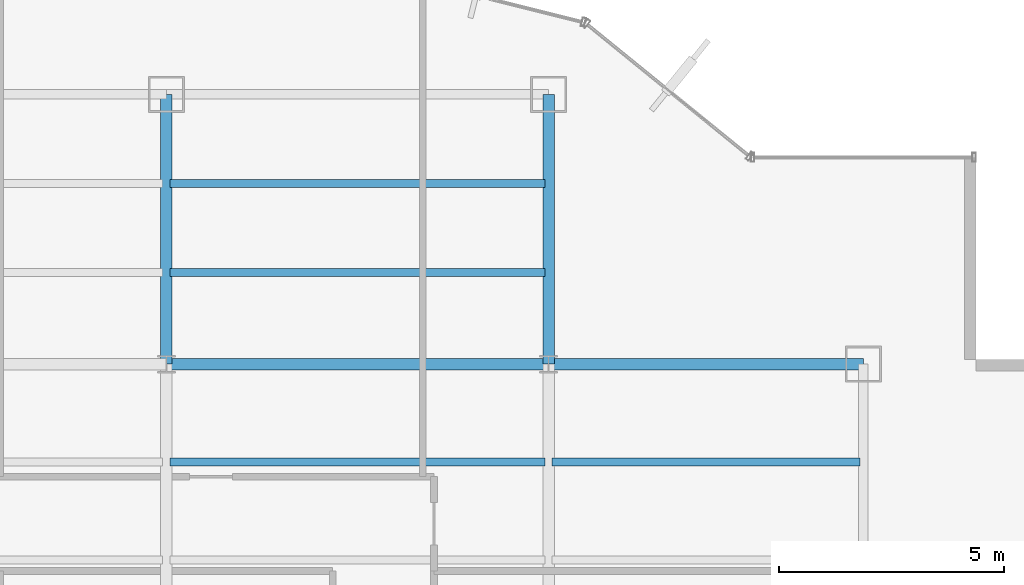
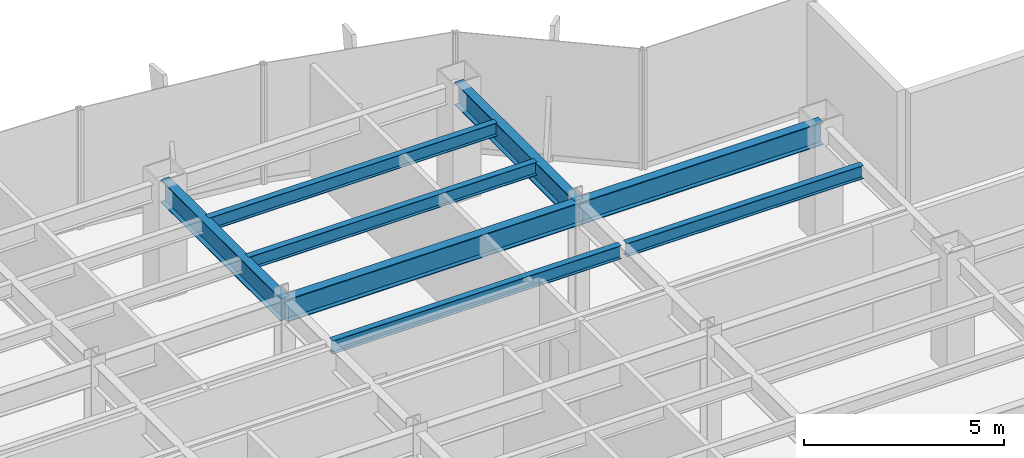
# One storey, part 17 of 26: 8 beams.
"""IFC4 building model written with IfcOpenShell, lengths in metres."""

from ifc_helpers import new_model, si_unit, derived_unit, direction, frame, origin, origin_2d, place, context, subcontext, project, spatial, i_section, extrude, source, transform, mapped, material, material_profile, profile_set, type_object, element, save


model = new_model("IFC4")

# Units and contexts
model_context = context("Model", 3, precision=1e-05, world=origin(), true_north=direction((0.0, 1.0)))
body_context = subcontext(model_context, "Body", "Model", "MODEL_VIEW")
ifc_project = project(units=[si_unit("LENGTHUNIT", "METRE"), si_unit("AREAUNIT", "SQUARE_METRE"), si_unit("VOLUMEUNIT", "CUBIC_METRE"), si_unit("PLANEANGLEUNIT", "RADIAN"), si_unit("MASSUNIT", "GRAM", prefix="KILO"), derived_unit("THERMALTRANSMITTANCEUNIT", [(si_unit("POWERUNIT", "WATT"), 1), (si_unit("LENGTHUNIT", "METRE"), -2), (si_unit("THERMODYNAMICTEMPERATUREUNIT", "KELVIN"), -1)])], contexts=[model_context])

# Site, building, storey
site_placement = place(None, origin())
site = spatial("IfcSite", under=ifc_project, at=site_placement, CompositionType="ELEMENT")
building_placement = place(site_placement, origin())
building = spatial("IfcBuilding", under=site, at=building_placement, Name="Skarnbrae Concourse Arena and Tower", CompositionType="ELEMENT")
storey_placement = place(building_placement, frame((0.0, 0.0, 121.5)))
storey = spatial("IfcBuildingStorey", under=building, at=storey_placement, Name="L30", CompositionType="ELEMENT", Elevation=121.5)

# Beams
ifc_material = material(Name="Steel CSA G40.21 350W", Category="steel")
ifc_material_profile_1 = material_profile(ifc_material, i_section(OverallWidth=0.256103515625, OverallDepth=0.693115234375, WebThickness=0.014404296875, FlangeThickness=0.023681640625, at=origin_2d()), Name="W690X170")
ifc_profile_set_1 = profile_set([ifc_material_profile_1], Name="Steel CSA G40.21 350W")
beam_type_1 = type_object("IfcBeamType", Name="BM-GIRD-W690X170", PredefinedType="BEAM", material=ifc_profile_set_1)
shared_shape_1 = source(origin(), body_context, "Body", "SweptSolid", [
    extrude(i_section(OverallWidth=0.256103515625, OverallDepth=0.693115234375, WebThickness=0.014404296875, FlangeThickness=0.023681640625, at=origin_2d()), origin(), (0.0, 0.0, 1.0), 7.0),
])
beam_1_placement = place(storey_placement, frame((42.0, 34.39990234375, 3.053466796875), z_axis=(1.0, 0.0, 0.0), x_axis=(0.0, 1.0, 0.0)))
element("IfcBeam", 1, at=beam_1_placement, inside=storey, type_object=beam_type_1, Name="L30 Primary E-W girder Y34.4-6", PredefinedType="BEAM", context=body_context, shape_type="MappedRepresentation", body=[
    mapped(shared_shape_1, transform((0.0, 0.0, 0.0))),
])
shared_shape_2 = source(origin(), body_context, "Body", "SweptSolid", [
    extrude(i_section(OverallWidth=0.256103515625, OverallDepth=0.693115234375, WebThickness=0.014404296875, FlangeThickness=0.023681640625, at=origin_2d()), origin(), (0.0, 0.0, 1.0), 8.5),
])
beam_2_placement = place(storey_placement, frame((33.5, 34.39990234375, 3.053466796875), z_axis=(1.0, 0.0, 0.0), x_axis=(0.0, 1.0, 0.0)))
element("IfcBeam", 2, at=beam_2_placement, inside=storey, type_object=beam_type_1, Name="L30 Primary E-W girder Y34.4-5", PredefinedType="BEAM", context=body_context, shape_type="MappedRepresentation", body=[
    mapped(shared_shape_2, transform((0.0, 0.0, 0.0))),
])
shared_shape_3 = source(origin(), body_context, "Body", "SweptSolid", [
    extrude(i_section(OverallWidth=0.256103515625, OverallDepth=0.693115234375, WebThickness=0.014404296875, FlangeThickness=0.023681640625, at=origin_2d()), origin(), (0.0, 0.0, 1.0), 6.0),
])
for number, where, z_axis, x_axis, name in (
    (3, (33.5, 34.39990234375, 3.053466796875), (0.0, 1.0, 0.0), (-1.0, 0.0, 0.0), "L30 Primary N-S girder X33.5-4"),
    (4, (42.0, 34.39990234375, 3.053466796875), (0.0, 1.0, 0.0), (-1.0, 0.0, 0.0), "L30 Primary N-S girder X42.0-5"),
):
    element("IfcBeam", number, at=place(storey_placement, frame(where, z_axis=z_axis, x_axis=x_axis)), inside=storey, type_object=beam_type_1, Name=name, PredefinedType="BEAM", context=body_context, shape_type="MappedRepresentation", body=[
        mapped(shared_shape_3, transform((0.0, 0.0, 0.0))),
    ])
ifc_material_profile_2 = material_profile(ifc_material, i_section(OverallWidth=0.177978515625, OverallDepth=0.406982421875, WebThickness=0.0078125, FlangeThickness=0.0126953125, at=origin_2d()), Name="W410X60")
ifc_profile_set_2 = profile_set([ifc_material_profile_2], Name="Steel CSA G40.21 350W")
beam_type_2 = type_object("IfcBeamType", Name="BM-JOIST-W410X60", PredefinedType="JOIST", material=ifc_profile_set_2)
shared_shape_4 = source(origin(), body_context, "Body", "SweptSolid", [
    extrude(i_section(OverallWidth=0.177978515625, OverallDepth=0.406982421875, WebThickness=0.0078125, FlangeThickness=0.0126953125, at=origin_2d()), origin(), (0.0, 0.0, 1.0), 8.33984375),
])
for number, where, z_axis, x_axis, name in (
    (5, (33.580078125, 32.221923828125, 3.196533203125), (1.0, 0.0, 0.0), (0.0, 1.0, 0.0), "L30 Secondary floor joist 3.2.5"),
    (6, (33.580078125, 36.43994140625, 3.196533203125), (1.0, 0.0, 0.0), (0.0, 1.0, 0.0), "L30 Secondary floor joist 4.1.4"),
    (7, (33.580078125, 38.419921875, 3.196533203125), (1.0, 0.0, 0.0), (0.0, 1.0, 0.0), "L30 Secondary floor joist 4.2.4"),
):
    element("IfcBeam", number, at=place(storey_placement, frame(where, z_axis=z_axis, x_axis=x_axis)), inside=storey, type_object=beam_type_2, Name=name, PredefinedType="JOIST", context=body_context, shape_type="MappedRepresentation", body=[
        mapped(shared_shape_4, transform((0.0, 0.0, 0.0))),
    ])
shared_shape_5 = source(origin(), body_context, "Body", "SweptSolid", [
    extrude(i_section(OverallWidth=0.177978515625, OverallDepth=0.406982421875, WebThickness=0.0078125, FlangeThickness=0.0126953125, at=origin_2d()), origin(), (0.0, 0.0, 1.0), 6.83984375),
])
beam_3_placement = place(storey_placement, frame((42.080078125, 32.221923828125, 3.196533203125), z_axis=(1.0, 0.0, 0.0), x_axis=(0.0, 1.0, 0.0)))
element("IfcBeam", 8, at=beam_3_placement, inside=storey, type_object=beam_type_2, Name="L30 Secondary floor joist 3.2.6", PredefinedType="JOIST", context=body_context, shape_type="MappedRepresentation", body=[
    mapped(shared_shape_5, transform((0.0, 0.0, 0.0))),
])

save(model, "model.ifc")
